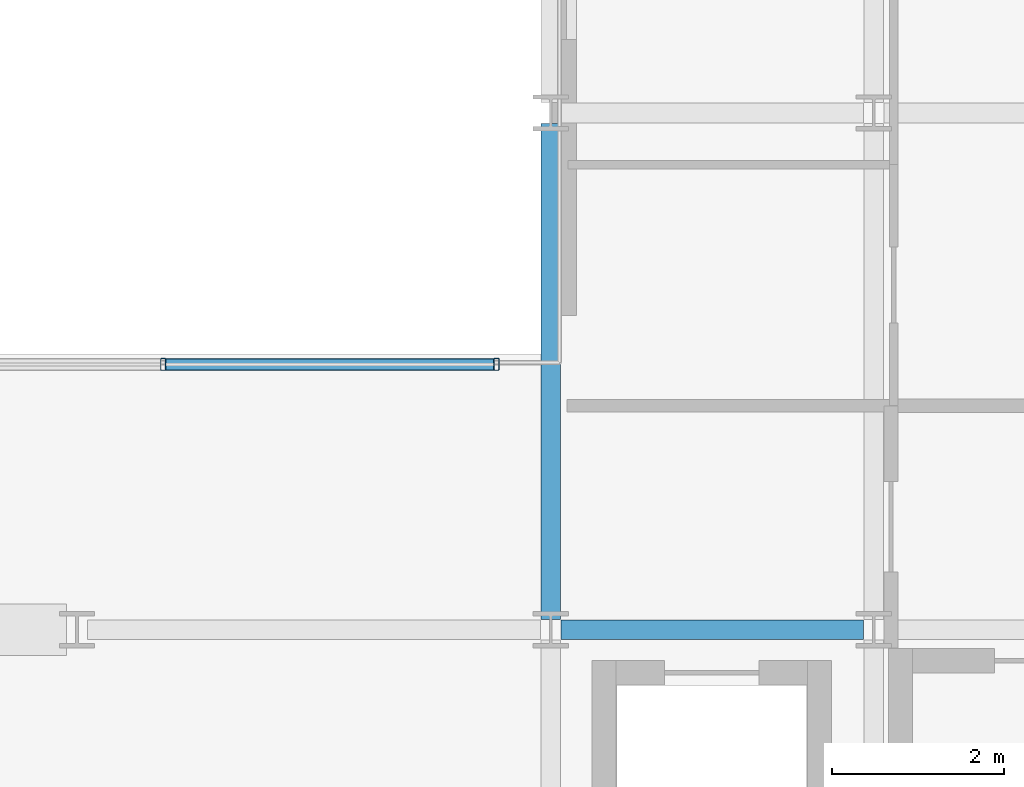
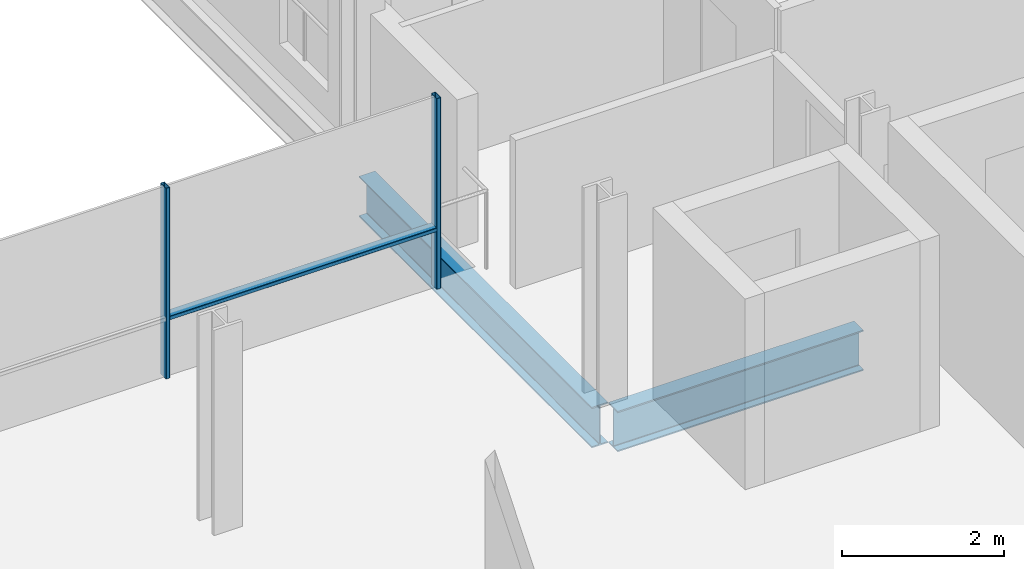
# One storey, part 13 of 40: 3 members, 2 beams, 1 element without a shape of its own.
"""IFC4 building model written with IfcOpenShell, lengths in metres."""

import ifcopenshell
import ifcopenshell.guid

model = None  # the IFC model being written
_history = None  # IfcOwnerHistory: only IFC2X3 demands one
_inside = {}  # id of a spatial element -> (the spatial element, [elements in it])
_under = {}  # id of a project, library or spatial element -> (it, [spatial elements below it])
_declared = {}  # id of a project -> (the project, [libraries it declares])
_typed = {}  # id of a type object -> (the type object, [elements of that type])
_made_of = {}  # id of a material, layer set ... -> (it, [elements and type objects made of it])


def new_model(schema):
    """Start an empty IFC model of exactly this schema.

    Asked for "IFC4X3", IfcOpenShell would pick the latest addendum, in which some entities
    have other attributes; the version numbers below select the first issue.
    IFC2X3 requires an IfcOwnerHistory on every rooted entity: one is made here for all.
    """
    global model, _history
    if schema == "IFC4X3":
        model = ifcopenshell.file(schema_version=(4, 3, 0, 0))
    else:
        model = ifcopenshell.file(schema=schema)
    _inside.clear()
    _under.clear()
    _declared.clear()
    _typed.clear()
    _made_of.clear()
    _history = None
    if model.schema == "IFC2X3":
        org = make("IfcOrganization", Name="unknown")
        user = make(
            "IfcPersonAndOrganization",
            ThePerson=make("IfcPerson", FamilyName="unknown"),
            TheOrganization=org,
        )
        app = make(
            "IfcApplication",
            ApplicationDeveloper=org,
            Version="unknown",
            ApplicationFullName="unknown",
            ApplicationIdentifier="unknown",
        )
        _history = make(
            "IfcOwnerHistory",
            OwningUser=user,
            OwningApplication=app,
            ChangeAction="ADDED",
            CreationDate=0,
        )
    return model


def make(cls, **values):
    """One entity of the class cls with the attributes given. An attribute that is None is left unset."""
    return model.create_entity(
        cls, **{name: value for name, value in values.items() if value is not None}
    )


def rooted(cls, **values):
    """An entity with a GlobalId (a new one), such as an element, a storey or a relation."""
    return make(cls, GlobalId=ifcopenshell.guid.new(), OwnerHistory=_history, **values)


def si_unit(unit_type, name, prefix=None):
    """IfcSIUnit, for example si_unit("LENGTHUNIT", "METRE", prefix="MILLI")."""
    return make("IfcSIUnit", UnitType=unit_type, Prefix=prefix, Name=name)


def assignment(units):
    """IfcUnitAssignment: the units of a project."""
    return None if units is None else make("IfcUnitAssignment", Units=units)


def point(xyz):
    """IfcCartesianPoint."""
    return None if xyz is None else make("IfcCartesianPoint", Coordinates=xyz)


def direction(xyz):
    """IfcDirection."""
    return None if xyz is None else make("IfcDirection", DirectionRatios=xyz)


def frame(location, z_axis=None, x_axis=None):
    """IfcAxis2Placement3D, a coordinate frame: its origin and axes. An axis left out is left unset."""
    return make(
        "IfcAxis2Placement3D",
        Location=point(location),
        Axis=direction(z_axis),
        RefDirection=direction(x_axis),
    )


def frame_2d(location, x_axis=None):
    """IfcAxis2Placement2D, a coordinate frame in the plane: its origin and x axis."""
    return make(
        "IfcAxis2Placement2D", Location=point(location), RefDirection=direction(x_axis)
    )


def origin():
    """The frame at (0, 0, 0) with its axes left unset."""
    return frame((0.0, 0.0, 0.0))


def origin_2d():
    """The frame at (0, 0) in the plane with its x axis left unset."""
    return frame_2d((0.0, 0.0))


def place(relative_to, where):
    """IfcLocalPlacement: puts the frame where relative to a parent placement (None: the world)."""
    return make(
        "IfcLocalPlacement", PlacementRelTo=relative_to, RelativePlacement=where
    )


def context(
    kind, dimensions, precision=None, world=None, true_north=None, identifier=None
):
    """IfcGeometricRepresentationContext, for example the 3D "Model" context."""
    return make(
        "IfcGeometricRepresentationContext",
        ContextIdentifier=identifier,
        ContextType=kind,
        CoordinateSpaceDimension=dimensions,
        Precision=precision,
        WorldCoordinateSystem=world,
        TrueNorth=true_north,
    )


def subcontext(parent, identifier, kind, view, scale=None):
    """IfcGeometricRepresentationSubContext, for example "Body" below "Model"."""
    return make(
        "IfcGeometricRepresentationSubContext",
        ContextIdentifier=identifier,
        ContextType=kind,
        ParentContext=parent,
        TargetScale=scale,
        TargetView=view,
    )


def project(units=None, contexts=None):
    """IfcProject with its units and contexts."""
    return rooted(
        "IfcProject",
        Name="project",
        RepresentationContexts=contexts,
        UnitsInContext=assignment(units),
    )


def spatial(cls, under=None, at=None, **own):
    """A site, building, storey or space (cls), placed at a placement, below another one or the project."""
    s = rooted(cls, ObjectPlacement=at, **own)
    if under is not None:
        _under.setdefault(under.id(), (under, []))[1].append(s)
    return s


def profile(cls, at=None, kind="AREA", **sizes):
    """A parametric profile (cls). Its sizes go by their IFC names, for example OverallWidth=200.0."""
    return make(cls, ProfileType=kind, Position=at, **sizes)


def hollow_rectangle(**sizes):
    """IfcRectangleHollowProfileDef."""
    return profile("IfcRectangleHollowProfileDef", **sizes)


def i_section(**sizes):
    """IfcIShapeProfileDef."""
    return profile("IfcIShapeProfileDef", **sizes)


def extrude(swept, where, along, depth):
    """IfcExtrudedAreaSolid: the profile swept, set in the frame where, extruded along a direction by depth."""
    return make(
        "IfcExtrudedAreaSolid",
        SweptArea=swept,
        Position=where,
        ExtrudedDirection=direction(along),
        Depth=depth,
    )


def shape(context_of_items, identifier, shape_type, items):
    """IfcShapeRepresentation: the items that make up one representation, for example the "Body"."""
    return make(
        "IfcShapeRepresentation",
        ContextOfItems=context_of_items,
        RepresentationIdentifier=identifier,
        RepresentationType=shape_type,
        Items=items,
    )


def material(Name=None, Category=None):
    """IfcMaterial."""
    return make("IfcMaterial", Name=Name, Category=Category)


def layer(
    of_material, thickness, ventilated=None, Name=None, Category=None, Priority=None
):
    """IfcMaterialLayer: one layer of a wall or slab, of a material (None: an air gap)."""
    return make(
        "IfcMaterialLayer",
        Material=of_material,
        LayerThickness=thickness,
        IsVentilated=ventilated,
        Name=Name,
        Category=Category,
        Priority=Priority,
    )


def layer_set(layers, Name=None):
    """IfcMaterialLayerSet."""
    return make("IfcMaterialLayerSet", MaterialLayers=layers, LayerSetName=Name)


def material_profile(
    of_material, cross_section, Name=None, Category=None, Priority=None
):
    """IfcMaterialProfile: a cross section and its material."""
    return make(
        "IfcMaterialProfile",
        Name=Name,
        Material=of_material,
        Profile=cross_section,
        Priority=Priority,
        Category=Category,
    )


def profile_set(profiles, Name=None, composite=None):
    """IfcMaterialProfileSet."""
    return make(
        "IfcMaterialProfileSet",
        Name=Name,
        MaterialProfiles=profiles,
        CompositeProfile=composite,
    )


def made_of(thing, what):
    """Note that an element or type object is made of a material, layer set ...; save() writes the relation."""
    if what is not None:
        _made_of.setdefault(what.id(), (what, []))[1].append(thing)
    return thing


def type_object(cls, material=None, **own):
    """A type object (cls), such as IfcWallType, which elements share."""
    return made_of(rooted(cls, **own), material)


def element(
    cls,
    number,
    at=None,
    inside=None,
    cuts=None,
    type_object=None,
    material=None,
    context=None,
    identifier="Body",
    shape_type=None,
    held_by="IfcProductDefinitionShape",
    body=None,
    shapes=None,
    **own,
):
    """One element of the class cls, such as IfcWall. Its Tag is "e" and its number.

    at: its placement. inside: the storey or other place that contains it. cuts: it is an
    opening in that element (IfcRelVoidsElement). A single representation is given by context,
    identifier, shape_type and body (its items); several are given by shapes. held_by: the class
    of the entity that holds the representations. save() writes the other relations.
    """
    e = rooted(cls, Tag="e%d" % number, ObjectPlacement=at, **own)
    if body is not None:
        shapes = [shape(context, identifier, shape_type, body)]
    if shapes is not None:
        e.Representation = make(held_by, Representations=shapes)
    if inside is not None:
        _inside.setdefault(inside.id(), (inside, []))[1].append(e)
    if cuts is not None:
        rooted(
            "IfcRelVoidsElement", RelatingBuildingElement=cuts, RelatedOpeningElement=e
        )
    if type_object is not None:
        _typed.setdefault(type_object.id(), (type_object, []))[1].append(e)
    return made_of(e, material)


def aggregate(whole, parts):
    """IfcRelAggregates: a whole, such as a stair, and the parts it consists of."""
    return rooted("IfcRelAggregates", RelatingObject=whole, RelatedObjects=parts)


def save(model, path):
    """Write the relations noted so far, then the file.

    IfcRelAggregates (storeys below a building ...), IfcRelContainedInSpatialStructure (elements
    in a storey), IfcRelDefinesByType, IfcRelAssociatesMaterial and IfcRelDeclares: one each for
    every whole, place, type object, material and project.
    """
    for whole, parts in _under.values():
        aggregate(whole, parts)
    for where, things in _inside.values():
        rooted(
            "IfcRelContainedInSpatialStructure",
            RelatedElements=things,
            RelatingStructure=where,
        )
    for kind, things in _typed.values():
        rooted("IfcRelDefinesByType", RelatedObjects=things, RelatingType=kind)
    for what, things in _made_of.values():
        rooted("IfcRelAssociatesMaterial", RelatedObjects=things, RelatingMaterial=what)
    for by, libraries in _declared.values():
        rooted("IfcRelDeclares", RelatingContext=by, RelatedDefinitions=libraries)
    model.write(path)


model = new_model("IFC4")

# Units and contexts
model_context = context("Model", 3, precision=1e-05, world=origin(), true_north=direction((0.0, 1.0)))
body_context = subcontext(model_context, "Body", "Model", "MODEL_VIEW")
ifc_project = project(units=[si_unit("LENGTHUNIT", "METRE"), si_unit("AREAUNIT", "SQUARE_METRE"), si_unit("VOLUMEUNIT", "CUBIC_METRE"), si_unit("PLANEANGLEUNIT", "RADIAN"), si_unit("MASSUNIT", "GRAM", prefix="KILO")], contexts=[model_context])

# Site, building, storey
site_placement = place(None, origin())
site = spatial("IfcSite", under=ifc_project, at=site_placement, CompositionType="ELEMENT")
building_placement = place(site_placement, origin())
building = spatial("IfcBuilding", under=site, at=building_placement, Name="Brevholm Reach", CompositionType="ELEMENT")
storey_placement = place(building_placement, frame((0.0, 0.0, 125.199951171875)))
storey = spatial("IfcBuildingStorey", under=building, at=storey_placement, Name="L37", CompositionType="ELEMENT", Elevation=125.199951171875)

# Beams
ifc_material_1 = material(Name="Structural Steel S355J2", Category="steel")
ifc_material_profile_1 = material_profile(ifc_material_1, i_section(OverallWidth=0.22900390625, OverallDepth=0.6123046875, WebThickness=0.011962890625, FlangeThickness=0.01953125, FilletRadius=0.0126953125, at=origin_2d()), Name="UKB 610x229x125")
ifc_profile_set_1 = profile_set([ifc_material_profile_1], Name="Structural Steel S355J2")
beam_type = type_object("IfcBeamType", Name="BM-SP610", PredefinedType="SPANDREL", material=ifc_profile_set_1)
beam_1_placement = place(storey_placement, frame((38.3701171875, 10.0, -0.526123046875), z_axis=(1.0, 0.0, 0.0), x_axis=(0.0, 1.0, 0.0)))
element("IfcBeam", 1, at=beam_1_placement, inside=storey, type_object=beam_type, Name="L37 SP-01 Framing Beam", PredefinedType="SPANDREL", context=body_context, shape_type="SweptSolid", body=[
    extrude(i_section(OverallWidth=0.22900390625, OverallDepth=0.6123046875, WebThickness=0.011962890625, FlangeThickness=0.01953125, FilletRadius=0.0126953125, at=origin_2d()), origin(), (0.0, 0.0, 1.0), 3.509765625),
])
beam_2_placement = place(storey_placement, frame((38.25, 10.1201171875, -0.526123046875), z_axis=(0.0, 1.0, 0.0), x_axis=(-1.0, 0.0, 0.0)))
element("IfcBeam", 2, at=beam_2_placement, inside=storey, type_object=beam_type, Name="L37 SP-01 Framing Beam", PredefinedType="SPANDREL", context=body_context, shape_type="SweptSolid", body=[
    extrude(i_section(OverallWidth=0.22900390625, OverallDepth=0.6123046875, WebThickness=0.011962890625, FlangeThickness=0.01953125, FilletRadius=0.0126953125, at=origin_2d()), origin(), (0.0, 0.0, 1.0), 5.759765625),
])

# Curtain wall, members
ifc_material_2 = material(Name="Dark Anodised Aluminium 6063-T6 and Solar-Control Glass", Category="aluminium")
ifc_layer = layer(ifc_material_2, 0.139892578125)
ifc_layer_set = layer_set([ifc_layer], Name="Dark Anodised Aluminium 6063-T6 and Solar-Control Glass")
curtain_wall_type = type_object("IfcCurtainWallType", Name="CW-02", PredefinedType="NOTDEFINED", material=ifc_layer_set)
curtain_wall_placement = place(storey_placement, origin())
curtain_wall = element("IfcCurtainWall", 3, at=curtain_wall_placement, inside=storey, type_object=curtain_wall_type, Name="L37 Curtain Wall CW-02", PredefinedType="NOTDEFINED")
ifc_material_3 = material(Name="Dark Anodised Aluminium 6063-T6", Category="aluminium")
ifc_material_profile_2 = material_profile(ifc_material_3, hollow_rectangle(XDim=0.06005859375, YDim=0.139892578125, WallThickness=0.0048828125, InnerFilletRadius=0.0048828125, OuterFilletRadius=0.010009765625, at=origin_2d()), Name="RHS 140x60x5")
ifc_profile_set_2 = profile_set([ifc_material_profile_2], Name="Dark Anodised Aluminium 6063-T6")
member_type_1 = type_object("IfcMemberType", Name="CWM-140", PredefinedType="MULLION", material=ifc_profile_set_2)
member_1_placement = place(storey_placement, frame((33.75, 13.080078125, 0.0), z_axis=(0.0, 0.0, 1.0), x_axis=(1.0, 0.0, 0.0)))
member_1 = element("IfcMember", 4, at=member_1_placement, type_object=member_type_1, Name="CM-140 Mullion 4", PredefinedType="MULLION", context=body_context, shape_type="SweptSolid", body=[
    extrude(hollow_rectangle(XDim=0.06005859375, YDim=0.139892578125, WallThickness=0.0048828125, InnerFilletRadius=0.0048828125, OuterFilletRadius=0.010009765625, at=origin_2d()), origin(), (0.0, 0.0, 1.0), 2.880126953125),
])
member_2_placement = place(storey_placement, frame((37.6201171875, 13.080078125, 0.0), z_axis=(0.0, 0.0, 1.0), x_axis=(1.0, 0.0, 0.0)))
member_2 = element("IfcMember", 5, at=member_2_placement, type_object=member_type_1, Name="CM-140 Mullion 5", PredefinedType="MULLION", context=body_context, shape_type="SweptSolid", body=[
    extrude(hollow_rectangle(XDim=0.06005859375, YDim=0.139892578125, WallThickness=0.0048828125, InnerFilletRadius=0.0048828125, OuterFilletRadius=0.010009765625, at=origin_2d()), origin(), (0.0, 0.0, 1.0), 2.880126953125),
])
ifc_material_4 = material(Name="Dark Anodised Aluminium 6063-T6", Category="aluminium")
ifc_material_profile_3 = material_profile(ifc_material_4, hollow_rectangle(XDim=0.06005859375, YDim=0.139892578125, WallThickness=0.0048828125, InnerFilletRadius=0.0048828125, OuterFilletRadius=0.010009765625, at=origin_2d()), Name="RHS 140x60x5")
ifc_profile_set_3 = profile_set([ifc_material_profile_3], Name="Dark Anodised Aluminium 6063-T6")
member_type_2 = type_object("IfcMemberType", Name="CWT-140", PredefinedType="NOTDEFINED", material=ifc_profile_set_3)
member_3_placement = place(storey_placement, frame((33.780029296875, 13.080078125, 0.900146484375), z_axis=(1.0, 0.0, 0.0), x_axis=(0.0, 0.0, 1.0)))
member_3 = element("IfcMember", 6, at=member_3_placement, type_object=member_type_2, Name="CT-140 Transom 4.1", ObjectType="TRANSOM", PredefinedType="USERDEFINED", context=body_context, shape_type="SweptSolid", body=[
    extrude(hollow_rectangle(XDim=0.06005859375, YDim=0.139892578125, WallThickness=0.0048828125, InnerFilletRadius=0.0048828125, OuterFilletRadius=0.010009765625, at=origin_2d()), origin(), (0.0, 0.0, 1.0), 3.81005859375),
])
aggregate(curtain_wall, [member_1, member_2, member_3])

save(model, "model.ifc")
